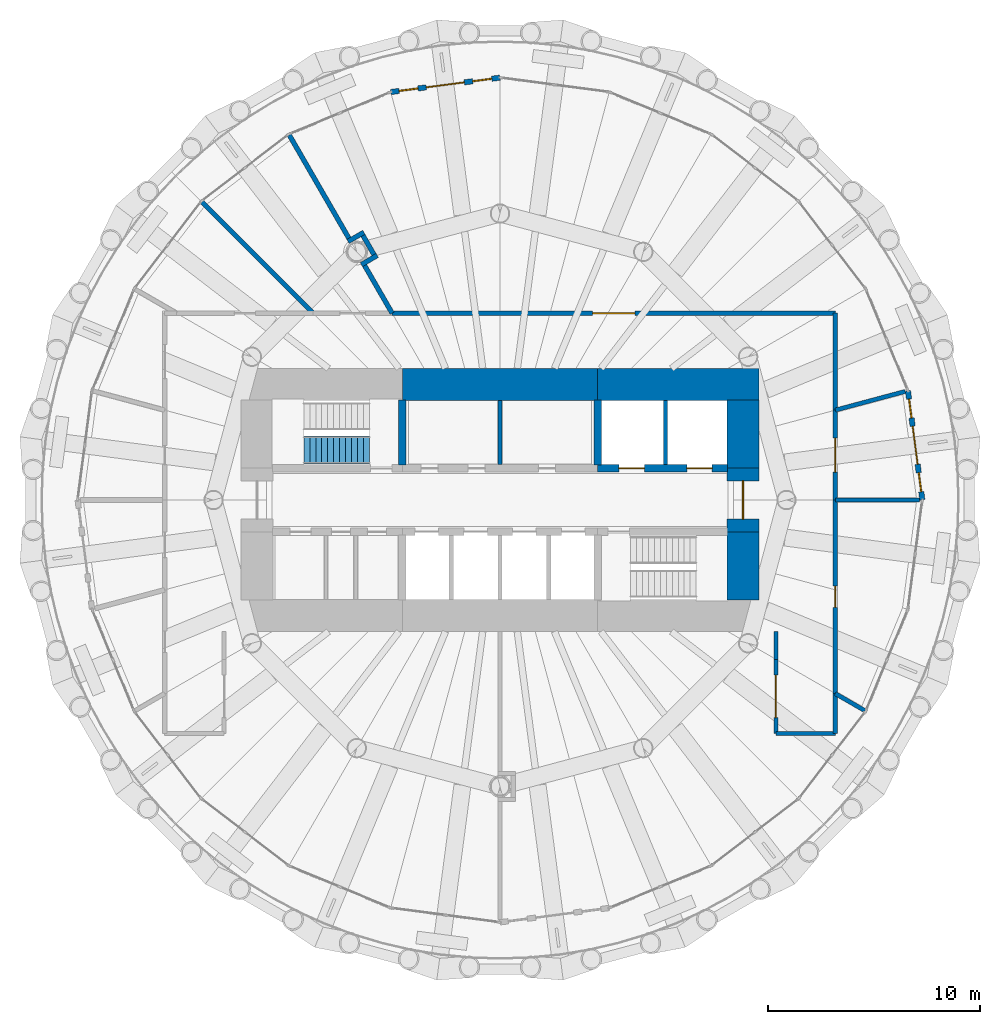
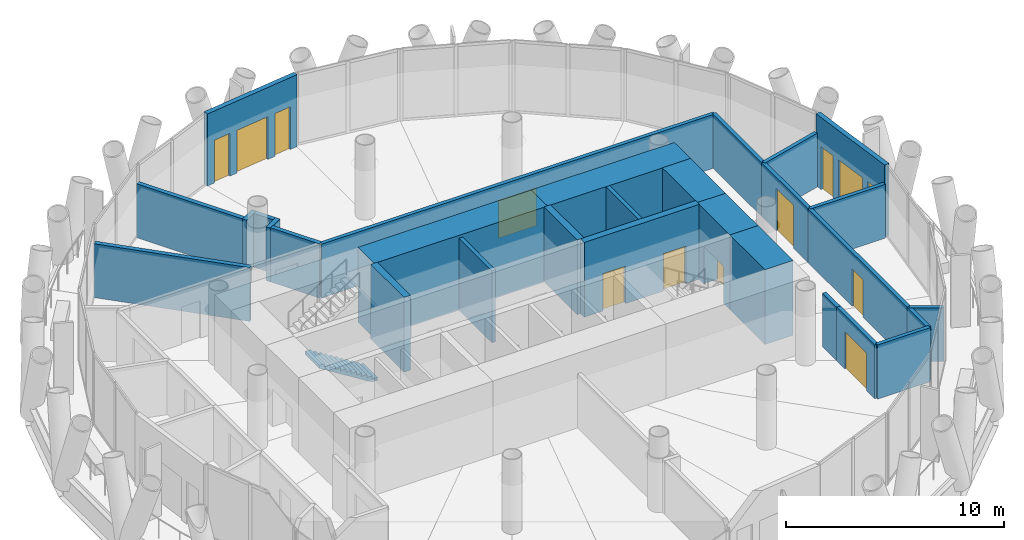
# One storey, part 11 of 16: 29 walls, 9 doors, 4 windows, 1 stair flight, 13 openings, 1 element without a shape of its own.
"""IFC4 building model written with IfcOpenShell, lengths in metres."""

from ifc_helpers import new_model, si_unit, direction, frame, frame_2d, origin, place, context, subcontext, project, spatial, polyline, rectangle, outline, extrude, material, layer, layer_set, type_object, element, fill, aggregate, save


model = new_model("IFC4")

# Units and contexts
model_context = context("Model", 3, precision=1e-05, world=origin(), true_north=direction((0.0, 1.0)))
body_context = subcontext(model_context, "Body", "Model", "MODEL_VIEW")
ifc_project = project(units=[si_unit("LENGTHUNIT", "METRE"), si_unit("AREAUNIT", "SQUARE_METRE"), si_unit("VOLUMEUNIT", "CUBIC_METRE"), si_unit("PLANEANGLEUNIT", "RADIAN"), si_unit("MASSUNIT", "GRAM", prefix="KILO")], contexts=[model_context])

# Site, building, storey
site_placement = place(None, origin())
site = spatial("IfcSite", under=ifc_project, at=site_placement, CompositionType="ELEMENT")
building_placement = place(site_placement, origin())
building = spatial("IfcBuilding", under=site, at=building_placement, Name="Qaws Media Tower", CompositionType="ELEMENT")
storey_placement = place(building_placement, frame((0.0, 0.0, 252.800048828125)))
storey = spatial("IfcBuildingStorey", under=building, at=storey_placement, Name="L58", CompositionType="ELEMENT", Elevation=252.800048828125)

# Walls
ifc_material_1 = material(Name="Twin metal stud frames, two layers gypsum board each side, insulated, Rw 55", Category="gypsum")
ifc_layer_1 = layer(ifc_material_1, 0.22509765625)
ifc_layer_set_1 = layer_set([ifc_layer_1], Name="Acoustic twin-stud partition 225 Rw 55")
wall_type_1 = type_object("IfcWallType", Name="Acoustic twin-stud partition 225 Rw 55", PredefinedType="PARTITIONING", material=ifc_layer_set_1)
wall_1_placement = place(storey_placement, frame((53.46728515625, 61.08984375, 0.0), z_axis=(0.0, 0.0, 1.0), x_axis=(0.86599279096, 0.500056482814, 0.0)))
element("IfcWall", 1, at=wall_1_placement, inside=storey, type_object=wall_type_1, Name="W094 IW6 partition return L58", PredefinedType="PARTITIONING", context=body_context, shape_type="SweptSolid", body=[
    extrude(rectangle(XDim=0.86474609375, YDim=0.22509765625, at=frame_2d((0.432373046875, 0.0))), origin(), (0.0, 0.0, 1.0), 3.02001953125),
])
wall_2_placement = place(storey_placement, frame((52.837890625, 62.180419921875, 0.0), z_axis=(0.0, 0.0, 1.0), x_axis=(0.866044474677, 0.49996696679, 0.0)))
element("IfcWall", 2, at=wall_2_placement, inside=storey, type_object=wall_type_1, Name="W092 IW6 partition return L58", PredefinedType="PARTITIONING", context=body_context, shape_type="SweptSolid", body=[
    extrude(rectangle(XDim=0.8642578125, YDim=0.22509765625, at=frame_2d((0.43212890625, 0.0))), origin(), (0.0, 0.0, 1.0), 3.02001953125),
])
wall_3_placement = place(storey_placement, frame((54.062255859375, 61.5634765625, 0.0), z_axis=(0.0, 0.0, 1.0), x_axis=(-0.499974592989, 0.866040072032, 0.0)))
element("IfcWall", 3, at=wall_3_placement, inside=storey, type_object=wall_type_1, Name="W095 IW6 partition return L58", PredefinedType="PARTITIONING", context=body_context, shape_type="SweptSolid", body=[
    extrude(rectangle(XDim=1.03369140625, YDim=0.22509765625, at=frame_2d((0.516845703125, 0.0))), origin(), (0.0, 0.0, 1.0), 3.02001953125),
])
wall_4_placement = place(storey_placement, frame((54.919921875, 58.798828125, 0.0), z_axis=(0.0, 0.0, 1.0), x_axis=(-0.499939380126, 0.866060399857, 0.0)))
element("IfcWall", 4, at=wall_4_placement, inside=storey, type_object=wall_type_1, Name="W096 IW6 partition L58", PredefinedType="PARTITIONING", context=body_context, shape_type="SweptSolid", body=[
    extrude(rectangle(XDim=2.597900390625, YDim=0.22509765625, at=frame_2d((1.298828125, 0.0))), origin(), (0.0, 0.0, 1.0), 3.0400390625),
])
wall_5_placement = place(storey_placement, frame((52.87890625, 62.333984375, 0.0), z_axis=(0.0, 0.0, 1.0), x_axis=(-0.499985783765, 0.866033611376, 0.0)))
element("IfcWall", 5, at=wall_5_placement, inside=storey, type_object=wall_type_1, Name="W093 IW6 partition L58", PredefinedType="PARTITIONING", context=body_context, shape_type="SweptSolid", body=[
    extrude(rectangle(XDim=5.617919921875, YDim=0.22509765625, at=frame_2d((2.80908203125, 0.0))), origin(), (0.0, 0.0, 1.0), 3.02001953125),
])
wall_6_placement = place(storey_placement, frame((51.20361328125, 58.79638671875, 0.0), z_axis=(0.0, 0.0, 1.0), x_axis=(-0.707106781187, 0.707106781187, 0.0)))
element("IfcWall", 6, at=wall_6_placement, inside=storey, type_object=wall_type_1, Name="W091 IW6 partition L58", PredefinedType="PARTITIONING", context=body_context, shape_type="SweptSolid", body=[
    extrude(rectangle(XDim=7.420166015625, YDim=0.22509765625, at=frame_2d((3.7099609375, 0.0))), origin(), (0.0, 0.0, 1.0), 3.02001953125),
])

# Wall, openings, door, windows
ifc_material_2 = material(Name="Precast concrete, exposed finish", Category="concrete")
ifc_layer_2 = layer(ifc_material_2, 0.25)
ifc_layer_set_2 = layer_set([ifc_layer_2], Name="Balcony door wall 250")
wall_type_2 = type_object("IfcWallType", Name="Balcony door wall 250", PredefinedType="SOLIDWALL", material=ifc_layer_set_2)
wall_7_placement = place(storey_placement, frame((79.89990234375, 50.0, 0.0), z_axis=(0.0, 0.0, 1.0), x_axis=(-0.130510435174, 0.991446935701, 0.0)))
wall_7 = element("IfcWall", 7, at=wall_7_placement, inside=storey, type_object=wall_type_2, Name="W271 EW1 balcony door wall L58-01", PredefinedType="SOLIDWALL", context=body_context, shape_type="SweptSolid", body=[
    extrude(rectangle(XDim=5.19482421875, YDim=0.25, at=frame_2d((2.597412109375, 0.0))), origin(), (0.0, 0.0, 1.0), 4.0400390625),
])
opening_1_placement = place(wall_7_placement, frame((1.697509765625, 0.0, 0.0)))
opening_1 = element("IfcOpeningElement", 8, at=opening_1_placement, cuts=wall_7, Name="Opening D7", PredefinedType="OPENING", context=body_context, shape_type="SweptSolid", body=[
    extrude(rectangle(XDim=1.800048828125, YDim=2.39990234375, at=frame_2d((0.89990234375, 1.199951171875))), frame((0.0, 0.135009765625, 0.0), z_axis=(0.0, -1.0, 0.0), x_axis=(1.0, 0.0, 0.0)), (0.0, 0.0, 1.0), 0.27001953125),
])
opening_2_placement = place(wall_7_placement, frame((0.3974609375, 0.0, 0.0)))
opening_2 = element("IfcOpeningElement", 9, at=opening_2_placement, cuts=wall_7, Name="Opening W7", PredefinedType="OPENING", context=body_context, shape_type="SweptSolid", body=[
    extrude(rectangle(XDim=0.89990234375, YDim=2.39990234375, at=frame_2d((0.449951171875, 1.199951171875))), frame((0.0, 0.135009765625, 0.0), z_axis=(0.0, -1.0, 0.0), x_axis=(1.0, 0.0, 0.0)), (0.0, 0.0, 1.0), 0.27001953125),
])
opening_3_placement = place(wall_7_placement, frame((3.8974609375, 0.0, 0.0)))
opening_3 = element("IfcOpeningElement", 10, at=opening_3_placement, cuts=wall_7, Name="Opening W7", PredefinedType="OPENING", context=body_context, shape_type="SweptSolid", body=[
    extrude(rectangle(XDim=0.89990234375, YDim=2.39990234375, at=frame_2d((0.449951171875, 1.199951171875))), frame((0.0, 0.135009765625, 0.0), z_axis=(0.0, -1.0, 0.0), x_axis=(1.0, 0.0, 0.0)), (0.0, 0.0, 1.0), 0.27001953125),
])
ifc_material_3 = material(Name="Aluminium and clear glass", Category="aluminium")
door_type_1 = type_object("IfcDoorType", Name="Balcony door pair 1800", OperationType="DOUBLE_DOOR_SLIDING", PredefinedType="DOOR", material=ifc_material_3)
door_1_placement = place(opening_1_placement, origin())
door_1 = element("IfcDoor", 11, at=door_1_placement, inside=storey, type_object=door_type_1, Name="D7 balcony door L58-01 in wall W271", OperationType="DOUBLE_DOOR_SLIDING", OverallHeight=2.39990234375, OverallWidth=1.800048828125, PredefinedType="DOOR", context=body_context, shape_type="SweptSolid", body=[
    extrude(rectangle(XDim=1.800048828125, YDim=2.39990234375, at=frame_2d((0.89990234375, 1.199951171875))), frame((0.0, 0.02490234375, 0.0), z_axis=(0.0, -1.0, 0.0), x_axis=(1.0, 0.0, 0.0)), (0.0, 0.0, 1.0), 0.050048828125),
])
fill(opening_1, door_1)
ifc_material_4 = material(Name="Aluminium and clear glass", Category="aluminium")
window_type = type_object("IfcWindowType", Name="Balcony side window 900", PartitioningType="SINGLE_PANEL", PredefinedType="WINDOW", material=ifc_material_4)
window_1_placement = place(opening_2_placement, origin())
window_1 = element("IfcWindow", 12, at=window_1_placement, inside=storey, type_object=window_type, Name="W1 balcony side light L58-01L", OverallHeight=2.39990234375, OverallWidth=0.89990234375, PartitioningType="SINGLE_PANEL", PredefinedType="WINDOW", context=body_context, shape_type="SweptSolid", body=[
    extrude(rectangle(XDim=0.89990234375, YDim=2.39990234375, at=frame_2d((0.449951171875, 1.199951171875))), frame((0.0, 0.030029296875, 0.0), z_axis=(0.0, -1.0, 0.0), x_axis=(1.0, 0.0, 0.0)), (0.0, 0.0, 1.0), 0.06005859375),
])
fill(opening_2, window_1)
window_2_placement = place(opening_3_placement, origin())
window_2 = element("IfcWindow", 13, at=window_2_placement, inside=storey, type_object=window_type, Name="W1 balcony side light L58-01R", OverallHeight=2.39990234375, OverallWidth=0.89990234375, PartitioningType="SINGLE_PANEL", PredefinedType="WINDOW", context=body_context, shape_type="SweptSolid", body=[
    extrude(rectangle(XDim=0.89990234375, YDim=2.39990234375, at=frame_2d((0.449951171875, 1.199951171875))), frame((0.0, 0.030029296875, 0.0), z_axis=(0.0, -1.0, 0.0), x_axis=(1.0, 0.0, 0.0)), (0.0, 0.0, 1.0), 0.06005859375),
])
fill(opening_3, window_2)

wall_8_placement = place(storey_placement, frame((60.0, 69.89990234375, 0.0), z_axis=(0.0, 0.0, 1.0), x_axis=(-0.991446935701, -0.130510435174, 0.0)))
wall_8 = element("IfcWall", 14, at=wall_8_placement, inside=storey, type_object=wall_type_2, Name="W270 EW1 balcony door wall L58-07", PredefinedType="SOLIDWALL", context=body_context, shape_type="SweptSolid", body=[
    extrude(rectangle(XDim=5.19482421875, YDim=0.25, at=frame_2d((2.597412109375, 0.0))), origin(), (0.0, 0.0, 1.0), 4.0400390625),
])
opening_4_placement = place(wall_8_placement, frame((1.697509765625, 0.0, 0.0)))
opening_4 = element("IfcOpeningElement", 15, at=opening_4_placement, cuts=wall_8, Name="Opening D7", PredefinedType="OPENING", context=body_context, shape_type="SweptSolid", body=[
    extrude(rectangle(XDim=1.800048828125, YDim=2.39990234375, at=frame_2d((0.89990234375, 1.199951171875))), frame((0.0, 0.135009765625, 0.0), z_axis=(0.0, -1.0, 0.0), x_axis=(1.0, 0.0, 0.0)), (0.0, 0.0, 1.0), 0.27001953125),
])
opening_5_placement = place(wall_8_placement, frame((0.3974609375, 0.0, 0.0)))
opening_5 = element("IfcOpeningElement", 16, at=opening_5_placement, cuts=wall_8, Name="Opening W7", PredefinedType="OPENING", context=body_context, shape_type="SweptSolid", body=[
    extrude(rectangle(XDim=0.89990234375, YDim=2.39990234375, at=frame_2d((0.449951171875, 1.199951171875))), frame((0.0, 0.135009765625, 0.0), z_axis=(0.0, -1.0, 0.0), x_axis=(1.0, 0.0, 0.0)), (0.0, 0.0, 1.0), 0.27001953125),
])
opening_6_placement = place(wall_8_placement, frame((3.8974609375, 0.0, 0.0)))
opening_6 = element("IfcOpeningElement", 17, at=opening_6_placement, cuts=wall_8, Name="Opening W7", PredefinedType="OPENING", context=body_context, shape_type="SweptSolid", body=[
    extrude(rectangle(XDim=0.89990234375, YDim=2.39990234375, at=frame_2d((0.449951171875, 1.199951171875))), frame((0.0, 0.135009765625, 0.0), z_axis=(0.0, -1.0, 0.0), x_axis=(1.0, 0.0, 0.0)), (0.0, 0.0, 1.0), 0.27001953125),
])
door_2_placement = place(opening_4_placement, origin())
door_2 = element("IfcDoor", 18, at=door_2_placement, inside=storey, type_object=door_type_1, Name="D7 balcony door L58-07 in wall W270", OperationType="DOUBLE_DOOR_SLIDING", OverallHeight=2.39990234375, OverallWidth=1.800048828125, PredefinedType="DOOR", context=body_context, shape_type="SweptSolid", body=[
    extrude(rectangle(XDim=1.800048828125, YDim=2.39990234375, at=frame_2d((0.89990234375, 1.199951171875))), frame((0.0, 0.02490234375, 0.0), z_axis=(0.0, -1.0, 0.0), x_axis=(1.0, 0.0, 0.0)), (0.0, 0.0, 1.0), 0.050048828125),
])
fill(opening_4, door_2)
window_3_placement = place(opening_5_placement, origin())
window_3 = element("IfcWindow", 19, at=window_3_placement, inside=storey, type_object=window_type, Name="W1 balcony side light L58-07L", OverallHeight=2.39990234375, OverallWidth=0.89990234375, PartitioningType="SINGLE_PANEL", PredefinedType="WINDOW", context=body_context, shape_type="SweptSolid", body=[
    extrude(rectangle(XDim=0.89990234375, YDim=2.39990234375, at=frame_2d((0.449951171875, 1.199951171875))), frame((0.0, 0.030029296875, 0.0), z_axis=(0.0, -1.0, 0.0), x_axis=(1.0, 0.0, 0.0)), (0.0, 0.0, 1.0), 0.06005859375),
])
fill(opening_5, window_3)
window_4_placement = place(opening_6_placement, origin())
window_4 = element("IfcWindow", 20, at=window_4_placement, inside=storey, type_object=window_type, Name="W1 balcony side light L58-07R", OverallHeight=2.39990234375, OverallWidth=0.89990234375, PartitioningType="SINGLE_PANEL", PredefinedType="WINDOW", context=body_context, shape_type="SweptSolid", body=[
    extrude(rectangle(XDim=0.89990234375, YDim=2.39990234375, at=frame_2d((0.449951171875, 1.199951171875))), frame((0.0, 0.030029296875, 0.0), z_axis=(0.0, -1.0, 0.0), x_axis=(1.0, 0.0, 0.0)), (0.0, 0.0, 1.0), 0.06005859375),
])
fill(opening_6, window_4)

# Wall, openings, doors
ifc_material_5 = material(Name="Concrete C60/75", Category="concrete")
ifc_layer_3 = layer(ifc_material_5, 0.35009765625)
ifc_layer_set_3 = layer_set([ifc_layer_3], Name="Core inner wall 350")
wall_type_3 = type_object("IfcWallType", Name="Core inner wall 350", PredefinedType="SHEAR", material=ifc_layer_set_3)
wall_9_placement = place(storey_placement, frame((64.60009765625, 51.5, 0.0), z_axis=(0.0, 0.0, 1.0), x_axis=(1.0, 0.0, 0.0)))
wall_9 = element("IfcWall", 21, at=wall_9_placement, inside=storey, type_object=wall_type_3, Name="W308 SW5 core wall SPNE L58", PredefinedType="SHEAR", context=body_context, shape_type="SweptSolid", body=[
    extrude(rectangle(XDim=6.119873046875, YDim=0.35009765625, at=frame_2d((3.06005859375, 0.0))), origin(), (0.0, 0.0, 1.0), 4.199951171875),
])
opening_7_placement = place(wall_9_placement, frame((1.0, 0.0, 0.0)))
opening_7 = element("IfcOpeningElement", 22, at=opening_7_placement, cuts=wall_9, Name="Opening LD2", PredefinedType="OPENING", context=body_context, shape_type="SweptSolid", body=[
    extrude(rectangle(XDim=1.199951171875, YDim=2.10009765625, at=frame_2d((0.60009765625, 1.050048828125))), frame((0.0, 0.18505859375, 0.0), z_axis=(0.0, -1.0, 0.0), x_axis=(1.0, 0.0, 0.0)), (0.0, 0.0, 1.0), 0.3701171875),
])
opening_8_placement = place(wall_9_placement, frame((4.199951171875, 0.0, 0.0)))
opening_8 = element("IfcOpeningElement", 23, at=opening_8_placement, cuts=wall_9, Name="Opening LD2", PredefinedType="OPENING", context=body_context, shape_type="SweptSolid", body=[
    extrude(rectangle(XDim=1.199951171875, YDim=2.10009765625, at=frame_2d((0.60009765625, 1.050048828125))), frame((0.0, 0.18505859375, 0.0), z_axis=(0.0, -1.0, 0.0), x_axis=(1.0, 0.0, 0.0)), (0.0, 0.0, 1.0), 0.3701171875),
])
ifc_material_6 = material(Name="Steel, fire rated", Category="steel")
door_type_2 = type_object("IfcDoorType", Name="Lift landing door 1200", OperationType="SLIDING_TO_LEFT", PredefinedType="DOOR", material=ifc_material_6)
door_3_placement = place(opening_7_placement, origin())
door_3 = element("IfcDoor", 24, at=door_3_placement, inside=storey, type_object=door_type_2, Name="FL1 landing door L58 in wall W308", OperationType="SLIDING_TO_LEFT", OverallHeight=2.10009765625, OverallWidth=1.199951171875, PredefinedType="DOOR", context=body_context, shape_type="SweptSolid", body=[
    extrude(rectangle(XDim=1.199951171875, YDim=2.10009765625, at=frame_2d((0.60009765625, 1.050048828125))), frame((0.0, 0.02490234375, 0.0), z_axis=(0.0, -1.0, 0.0), x_axis=(1.0, 0.0, 0.0)), (0.0, 0.0, 1.0), 0.050048828125),
])
fill(opening_7, door_3)
door_4_placement = place(opening_8_placement, origin())
door_4 = element("IfcDoor", 25, at=door_4_placement, inside=storey, type_object=door_type_2, Name="FL2 landing door L58 in wall W308", OperationType="SLIDING_TO_LEFT", OverallHeight=2.10009765625, OverallWidth=1.199951171875, PredefinedType="DOOR", context=body_context, shape_type="SweptSolid", body=[
    extrude(rectangle(XDim=1.199951171875, YDim=2.10009765625, at=frame_2d((0.60009765625, 1.050048828125))), frame((0.0, 0.02490234375, 0.0), z_axis=(0.0, -1.0, 0.0), x_axis=(1.0, 0.0, 0.0)), (0.0, 0.0, 1.0), 0.050048828125),
])
fill(opening_8, door_4)

# Walls
for number, where, z_axis, x_axis, name in (
    (26, (55.39990234375, 51.655029296875, 0.0), (0.0, 0.0, 1.0), (0.0, 1.0, 0.0), "W305 SW5 core wall XNW L58"),
    (27, (64.60009765625, 51.655029296875, 0.0), (0.0, 0.0, 1.0), (0.0, 1.0, 0.0), "W309 SW5 core wall XNE L58"),
):
    element("IfcWall", number, at=place(storey_placement, frame(where, z_axis=z_axis, x_axis=x_axis)), inside=storey, type_object=wall_type_3, Name=name, PredefinedType="SHEAR", context=body_context, shape_type="SweptSolid", body=[
        extrude(rectangle(XDim=3.06494140625, YDim=0.35009765625, at=frame_2d((1.532470703125, 0.0))), origin(), (0.0, 0.0, 1.0), 4.199951171875),
    ])
ifc_material_7 = material(Name="Concrete C60/75", Category="concrete")
ifc_layer_4 = layer(ifc_material_7, 1.5)
ifc_layer_set_4 = layer_set([ifc_layer_4], Name="Core wall 1500")
wall_type_4 = type_object("IfcWallType", Name="Core wall 1500", PredefinedType="SHEAR", material=ifc_layer_set_4)
wall_10_placement = place(storey_placement, frame((55.39990234375, 55.449951171875, 0.0), z_axis=(0.0, 0.0, 1.0), x_axis=(1.0, 0.0, 0.0)))
element("IfcWall", 28, at=wall_10_placement, inside=storey, type_object=wall_type_4, Name="W373 SW13 core wall N L58", PredefinedType="SHEAR", context=body_context, shape_type="SweptSolid", body=[
    extrude(rectangle(XDim=9.2001953125, YDim=1.5, at=frame_2d((4.60009765625, 0.0))), origin(), (0.0, 0.0, 1.0), 4.199951171875),
])
wall_11_placement = place(storey_placement, frame((64.60009765625, 55.449951171875, 0.0), z_axis=(0.0, 0.0, 1.0), x_axis=(1.0, 0.0, 0.0)))
element("IfcWall", 29, at=wall_11_placement, inside=storey, type_object=wall_type_4, Name="W382 SW13 core wall NE L58", PredefinedType="SHEAR", context=body_context, shape_type="SweptSolid", body=[
    extrude(rectangle(XDim=7.599853515625, YDim=1.5, at=frame_2d((3.7998046875, 0.0))), origin(), (0.0, 0.0, 1.0), 4.199951171875),
])
wall_12_placement = place(storey_placement, frame((71.449951171875, 45.280029296875, 0.0), z_axis=(0.0, 0.0, 1.0), x_axis=(0.0, 1.0, 0.0)))
element("IfcWall", 30, at=wall_12_placement, inside=storey, type_object=wall_type_4, Name="W383 SW13 core wall ES L58", PredefinedType="SHEAR", context=body_context, shape_type="SweptSolid", body=[
    extrude(rectangle(XDim=3.219970703125, YDim=1.5, at=frame_2d((1.60986328125, 0.0))), origin(), (0.0, 0.0, 1.0), 4.199951171875),
])

# Wall, opening, door
wall_13_placement = place(storey_placement, frame((71.449951171875, 48.5, 0.0), z_axis=(0.0, 0.0, 1.0), x_axis=(0.0, 1.0, 0.0)))
wall_13 = element("IfcWall", 31, at=wall_13_placement, inside=storey, type_object=wall_type_4, Name="W384 SW13 core wall E L58", PredefinedType="SHEAR", context=body_context, shape_type="SweptSolid", body=[
    extrude(rectangle(XDim=3.0, YDim=1.5, at=frame_2d((1.5, 0.0))), origin(), (0.0, 0.0, 1.0), 4.199951171875),
])
opening_9_placement = place(wall_13_placement, frame((0.60009765625, 0.0, 0.0)))
opening_9 = element("IfcOpeningElement", 32, at=opening_9_placement, cuts=wall_13, Name="Opening D2", PredefinedType="OPENING", context=body_context, shape_type="SweptSolid", body=[
    extrude(rectangle(XDim=1.800048828125, YDim=2.10009765625, at=frame_2d((0.89990234375, 1.050048828125))), frame((0.0, 0.760009765625, 0.0), z_axis=(0.0, -1.0, 0.0), x_axis=(1.0, 0.0, 0.0)), (0.0, 0.0, 1.0), 1.52001953125),
])
ifc_material_8 = material(Name="Steel and glass, fire rated", Category="steel")
door_type_3 = type_object("IfcDoorType", Name="Lobby door pair 1800 FD60", OperationType="DOUBLE_DOOR_DOUBLE_SWING", PredefinedType="DOOR", material=ifc_material_8)
door_5_placement = place(opening_9_placement, origin())
door_5 = element("IfcDoor", 33, at=door_5_placement, inside=storey, type_object=door_type_3, Name="D2 core lobby door E L58 in wall W384", OperationType="DOUBLE_DOOR_DOUBLE_SWING", OverallHeight=2.10009765625, OverallWidth=1.800048828125, PredefinedType="DOOR", context=body_context, shape_type="SweptSolid", body=[
    extrude(rectangle(XDim=1.800048828125, YDim=2.10009765625, at=frame_2d((0.89990234375, 1.050048828125))), frame((0.0, 0.02490234375, 0.0), z_axis=(0.0, -1.0, 0.0), x_axis=(1.0, 0.0, 0.0)), (0.0, 0.0, 1.0), 0.050048828125),
])
fill(opening_9, door_5)

# Wall
wall_14_placement = place(storey_placement, frame((71.449951171875, 51.5, 0.0), z_axis=(0.0, 0.0, 1.0), x_axis=(0.0, 1.0, 0.0)))
element("IfcWall", 34, at=wall_14_placement, inside=storey, type_object=wall_type_4, Name="W385 SW13 core wall EN L58", PredefinedType="SHEAR", context=body_context, shape_type="SweptSolid", body=[
    extrude(rectangle(XDim=3.219970703125, YDim=1.5, at=frame_2d((1.60986328125, 0.0))), origin(), (0.0, 0.0, 1.0), 4.199951171875),
])

# Wall, opening, door
ifc_material_9 = material(Name="Gypsum board on galvanised metal studs, acoustic double stud, deflection head", Category="gypsum")
ifc_layer_5 = layer(ifc_material_9, 0.199951171875)
ifc_layer_set_5 = layer_set([ifc_layer_5], Name="Room partition 200")
wall_type_5 = type_object("IfcWallType", Name="Room partition 200", PredefinedType="PARTITIONING", material=ifc_layer_set_5)
wall_15_placement = place(storey_placement, frame((54.919189453125, 58.800048828125, 0.0), z_axis=(0.0, 0.0, 1.0), x_axis=(1.0, 0.0, 0.0)))
wall_15 = element("IfcWall", 35, at=wall_15_placement, inside=storey, type_object=wall_type_5, Name="W1693 IW3 partition L58", PredefinedType="PARTITIONING", context=body_context, shape_type="SweptSolid", body=[
    extrude(rectangle(XDim=20.880859375, YDim=0.199951171875, at=frame_2d((10.4404296875, 0.0))), origin(), (0.0, 0.0, 1.0), 3.02001953125),
])
opening_10_placement = place(wall_15_placement, frame((9.440185546875, 0.0, 0.0)))
opening_10 = element("IfcOpeningElement", 36, at=opening_10_placement, cuts=wall_15, Name="Opening D6", PredefinedType="OPENING", context=body_context, shape_type="SweptSolid", body=[
    extrude(rectangle(XDim=2.0, YDim=2.10009765625, at=frame_2d((1.0, 1.050048828125))), frame((0.0, 0.10986328125, 0.0), z_axis=(0.0, -1.0, 0.0), x_axis=(1.0, 0.0, 0.0)), (0.0, 0.0, 1.0), 0.219970703125),
])
ifc_material_10 = material(Name="Steel, acoustic, fire rated", Category="steel")
door_type_4 = type_object("IfcDoorType", Name="Room door pair 2000", OperationType="DOUBLE_DOOR_DOUBLE_SWING", PredefinedType="DOOR", material=ifc_material_10)
door_6_placement = place(opening_10_placement, origin())
door_6 = element("IfcDoor", 37, at=door_6_placement, inside=storey, type_object=door_type_4, Name="D6 Bureau newsroom door L58 in wall W1693", OperationType="DOUBLE_DOOR_DOUBLE_SWING", OverallHeight=2.10009765625, OverallWidth=2.0, PredefinedType="DOOR", context=body_context, shape_type="SweptSolid", body=[
    extrude(rectangle(XDim=2.0, YDim=2.10009765625, at=frame_2d((1.0, 1.050048828125))), frame((0.0, 0.02490234375, 0.0), z_axis=(0.0, -1.0, 0.0), x_axis=(1.0, 0.0, 0.0)), (0.0, 0.0, 1.0), 0.050048828125),
])
fill(opening_10, door_6)

# Wall
wall_16_placement = place(storey_placement, frame((75.800048828125, 58.800048828125, 0.0), z_axis=(0.0, 0.0, 1.0), x_axis=(0.0, -1.0, 0.0)))
element("IfcWall", 38, at=wall_16_placement, inside=storey, type_object=wall_type_5, Name="W1625 IW3 partition L58", PredefinedType="PARTITIONING", context=body_context, shape_type="SweptSolid", body=[
    extrude(rectangle(XDim=4.56640625, YDim=0.199951171875, at=frame_2d((2.283203125, 0.0))), origin(), (0.0, 0.0, 1.0), 3.02001953125),
])

# Wall, opening, door
wall_17_placement = place(storey_placement, frame((75.800048828125, 54.233642578125, 0.0), z_axis=(0.0, 0.0, 1.0), x_axis=(0.0, -1.0, 0.0)))
wall_17 = element("IfcWall", 39, at=wall_17_placement, inside=storey, type_object=wall_type_5, Name="W1624 IW3 partition L58", PredefinedType="PARTITIONING", context=body_context, shape_type="SweptSolid", body=[
    extrude(rectangle(XDim=4.233642578125, YDim=0.199951171875, at=frame_2d((2.11669921875, 0.0))), origin(), (0.0, 0.0, 1.0), 3.02001953125),
])
opening_11_placement = place(wall_17_placement, frame((1.31689453125, 0.0, 0.0)))
opening_11 = element("IfcOpeningElement", 40, at=opening_11_placement, cuts=wall_17, Name="Opening D16", PredefinedType="OPENING", context=body_context, shape_type="SweptSolid", body=[
    extrude(rectangle(XDim=1.60009765625, YDim=2.39990234375, at=frame_2d((0.800048828125, 1.199951171875))), frame((0.0, 0.10986328125, 0.0), z_axis=(0.0, -1.0, 0.0), x_axis=(1.0, 0.0, 0.0)), (0.0, 0.0, 1.0), 0.219970703125),
])
ifc_material_11 = material(Name="Glazed aluminium, fire rated", Category="aluminium")
door_type_5 = type_object("IfcDoorType", Name="Tenant entrance door pair 1600x2400", OperationType="DOUBLE_DOOR_DOUBLE_SWING", PredefinedType="DOOR", material=ifc_material_11)
door_7_placement = place(opening_11_placement, origin())
door_7 = element("IfcDoor", 41, at=door_7_placement, inside=storey, type_object=door_type_5, Name="D16 Bureau reception door L58 in wall W1624", OperationType="DOUBLE_DOOR_DOUBLE_SWING", OverallHeight=2.39990234375, OverallWidth=1.60009765625, PredefinedType="DOOR", context=body_context, shape_type="SweptSolid", body=[
    extrude(rectangle(XDim=1.60009765625, YDim=2.39990234375, at=frame_2d((0.800048828125, 1.199951171875))), frame((0.0, 0.02490234375, 0.0), z_axis=(0.0, -1.0, 0.0), x_axis=(1.0, 0.0, 0.0)), (0.0, 0.0, 1.0), 0.050048828125),
])
fill(opening_11, door_7)

wall_18_placement = place(storey_placement, frame((75.800048828125, 50.0, 0.0), z_axis=(0.0, 0.0, 1.0), x_axis=(0.0, -1.0, 0.0)))
wall_18 = element("IfcWall", 42, at=wall_18_placement, inside=storey, type_object=wall_type_5, Name="W1697 IW3 partition L58", PredefinedType="PARTITIONING", context=body_context, shape_type="SweptSolid", body=[
    extrude(rectangle(XDim=9.1220703125, YDim=0.199951171875, at=frame_2d((4.56103515625, 0.0))), origin(), (0.0, 0.0, 1.0), 3.02001953125),
])
opening_12_placement = place(wall_18_placement, frame((4.06103515625, 0.0, 0.0)))
opening_12 = element("IfcOpeningElement", 43, at=opening_12_placement, cuts=wall_18, Name="Opening D5", PredefinedType="OPENING", context=body_context, shape_type="SweptSolid", body=[
    extrude(rectangle(XDim=1.0, YDim=2.10009765625, at=frame_2d((0.5, 1.050048828125))), frame((0.0, 0.10986328125, 0.0), z_axis=(0.0, -1.0, 0.0), x_axis=(1.0, 0.0, 0.0)), (0.0, 0.0, 1.0), 0.219970703125),
])
ifc_material_12 = material(Name="Timber veneered, acoustic seal", Category="wood")
door_type_6 = type_object("IfcDoorType", Name="Room door 1000", OperationType="SINGLE_SWING_LEFT", PredefinedType="DOOR", material=ifc_material_12)
door_8_placement = place(opening_12_placement, origin())
door_8 = element("IfcDoor", 44, at=door_8_placement, inside=storey, type_object=door_type_6, Name="D5 Bureau newsroom door L58 in wall W1697", OperationType="SINGLE_SWING_LEFT", OverallHeight=2.10009765625, OverallWidth=1.0, PredefinedType="DOOR", context=body_context, shape_type="SweptSolid", body=[
    extrude(rectangle(XDim=1.0, YDim=2.10009765625, at=frame_2d((0.5, 1.050048828125))), frame((0.0, 0.02490234375, 0.0), z_axis=(0.0, -1.0, 0.0), x_axis=(1.0, 0.0, 0.0)), (0.0, 0.0, 1.0), 0.050048828125),
])
fill(opening_12, door_8)

# Walls
wall_19_placement = place(storey_placement, frame((75.800048828125, 40.8779296875, 0.0), z_axis=(0.0, 0.0, 1.0), x_axis=(0.0, -1.0, 0.0)))
element("IfcWall", 45, at=wall_19_placement, inside=storey, type_object=wall_type_5, Name="W1621 IW3 partition L58", PredefinedType="PARTITIONING", context=body_context, shape_type="SweptSolid", body=[
    extrude(rectangle(XDim=1.8779296875, YDim=0.199951171875, at=frame_2d((0.93896484375, 0.0))), origin(), (0.0, 0.0, 1.0), 3.02001953125),
])
wall_20_placement = place(storey_placement, frame((75.800048828125, 39.0, 0.0), z_axis=(0.0, 0.0, 1.0), x_axis=(-1.0, 0.0, 0.0)))
element("IfcWall", 46, at=wall_20_placement, inside=storey, type_object=wall_type_5, Name="W1231 IW3 partition L58", PredefinedType="PARTITIONING", context=body_context, shape_type="SweptSolid", body=[
    extrude(rectangle(XDim=2.800048828125, YDim=0.199951171875, at=frame_2d((1.39990234375, 0.0))), origin(), (0.0, 0.0, 1.0), 3.0400390625),
])

# Wall, opening, door
wall_21_placement = place(storey_placement, frame((73.0, 39.0, 0.0), z_axis=(0.0, 0.0, 1.0), x_axis=(0.0, 1.0, 0.0)))
wall_21 = element("IfcWall", 47, at=wall_21_placement, inside=storey, type_object=wall_type_5, Name="W1602 IW3 partition L58", PredefinedType="PARTITIONING", context=body_context, shape_type="SweptSolid", body=[
    extrude(rectangle(XDim=3.494384765625, YDim=0.199951171875, at=frame_2d((1.7470703125, 0.0))), origin(), (0.0, 0.0, 1.0), 3.02001953125),
])
opening_13_placement = place(wall_21_placement, frame((0.747314453125, 0.0, 0.0)))
opening_13 = element("IfcOpeningElement", 48, at=opening_13_placement, cuts=wall_21, Name="Opening D6", PredefinedType="OPENING", context=body_context, shape_type="SweptSolid", body=[
    extrude(rectangle(XDim=2.0, YDim=2.10009765625, at=frame_2d((1.0, 1.050048828125))), frame((0.0, 0.10986328125, 0.0), z_axis=(0.0, -1.0, 0.0), x_axis=(1.0, 0.0, 0.0)), (0.0, 0.0, 1.0), 0.219970703125),
])
door_9_placement = place(opening_13_placement, origin())
door_9 = element("IfcDoor", 49, at=door_9_placement, inside=storey, type_object=door_type_4, Name="D6 Bureau newsroom door L58 in wall W1602", OperationType="DOUBLE_DOOR_DOUBLE_SWING", OverallHeight=2.10009765625, OverallWidth=2.0, PredefinedType="DOOR", context=body_context, shape_type="SweptSolid", body=[
    extrude(rectangle(XDim=2.0, YDim=2.10009765625, at=frame_2d((1.0, 1.050048828125))), frame((0.0, 0.02490234375, 0.0), z_axis=(0.0, -1.0, 0.0), x_axis=(1.0, 0.0, 0.0)), (0.0, 0.0, 1.0), 0.050048828125),
])
fill(opening_13, door_9)

# Walls
wall_22_placement = place(storey_placement, frame((73.0, 42.494384765625, 0.0), z_axis=(0.0, 0.0, 1.0), x_axis=(0.0, 1.0, 0.0)))
element("IfcWall", 50, at=wall_22_placement, inside=storey, type_object=wall_type_5, Name="W1603 IW3 partition L58", PredefinedType="PARTITIONING", context=body_context, shape_type="SweptSolid", body=[
    extrude(rectangle(XDim=1.3056640625, YDim=0.199951171875, at=frame_2d((0.65283203125, 0.0))), origin(), (0.0, 0.0, 1.0), 3.02001953125),
])
wall_23_placement = place(storey_placement, frame((75.800048828125, 50.0, 0.0), z_axis=(0.0, 0.0, 1.0), x_axis=(1.0, 0.0, 0.0)))
element("IfcWall", 51, at=wall_23_placement, inside=storey, type_object=wall_type_5, Name="W1698 IW3 partition L58", PredefinedType="PARTITIONING", context=body_context, shape_type="SweptSolid", body=[
    extrude(rectangle(XDim=3.9599609375, YDim=0.199951171875, at=frame_2d((1.97998046875, 0.0))), origin(), (0.0, 0.0, 1.0), 3.02001953125),
])
wall_24_placement = place(storey_placement, frame((75.802490234375, 54.234375, 0.0), z_axis=(0.0, 0.0, 1.0), x_axis=(0.965933949521, 0.258788726886, 0.0)))
element("IfcWall", 52, at=wall_24_placement, inside=storey, type_object=wall_type_5, Name="W1699 IW3 partition L58", PredefinedType="PARTITIONING", context=body_context, shape_type="SweptSolid", body=[
    extrude(rectangle(XDim=3.39990234375, YDim=0.199951171875, at=frame_2d((1.699951171875, 0.0))), origin(), (0.0, 0.0, 1.0), 3.02001953125),
])
wall_25_placement = place(storey_placement, frame((75.79638671875, 40.8798828125, 0.0), z_axis=(0.0, 0.0, 1.0), x_axis=(0.866055074793, -0.499948604784, 0.0)))
element("IfcWall", 53, at=wall_25_placement, inside=storey, type_object=wall_type_5, Name="W1696 IW3 partition L58", PredefinedType="PARTITIONING", context=body_context, shape_type="SweptSolid", body=[
    extrude(rectangle(XDim=1.619873046875, YDim=0.199951171875, at=frame_2d((0.81005859375, 0.0))), origin(), (0.0, 0.0, 1.0), 3.02001953125),
])
wall_26_placement = place(storey_placement, frame((60.0, 51.675048828125, 0.0), z_axis=(0.0, 0.0, 1.0), x_axis=(0.0, 1.0, 0.0)))
element("IfcWall", 54, at=wall_26_placement, inside=storey, type_object=wall_type_5, Name="W1695 IW3 core room partition 1 L58", PredefinedType="PARTITIONING", context=body_context, shape_type="SweptSolid", body=[
    extrude(rectangle(XDim=3.02490234375, YDim=0.199951171875, at=frame_2d((1.512451171875, 0.0))), origin(), (0.0, 0.0, 1.0), 4.0400390625),
])
ifc_material_13 = material(Name="Fire-rated gypsum board shaft wall on galvanised metal studs, deflection head", Category="gypsum")
ifc_layer_6 = layer(ifc_material_13, 0.199951171875)
ifc_layer_set_6 = layer_set([ifc_layer_6], Name="Shaft wall 200")
wall_type_6 = type_object("IfcWallType", Name="Shaft wall 200", PredefinedType="PARTITIONING", material=ifc_layer_set_6)
wall_27_placement = place(storey_placement, frame((67.800048828125, 51.675048828125, 0.0), z_axis=(0.0, 0.0, 1.0), x_axis=(0.0, 1.0, 0.0)))
element("IfcWall", 55, at=wall_27_placement, inside=storey, type_object=wall_type_6, Name="W1874 IW1 shaft wall FL L58", PredefinedType="PARTITIONING", context=body_context, shape_type="SweptSolid", body=[
    extrude(rectangle(XDim=3.02490234375, YDim=0.199951171875, at=frame_2d((1.512451171875, 0.0))), origin(), (0.0, 0.0, 1.0), 4.199951171875),
])

# Stair, stair flight
ifc_material_14 = material(Name="Concrete C40/50", Category="concrete")
stair_type = type_object("IfcStairType", Name="Exit stair", PredefinedType="HALF_TURN_STAIR", material=ifc_material_14)
stair_placement = place(storey_placement, origin())
stair = element("IfcStair", 56, at=stair_placement, inside=storey, type_object=stair_type, Name="S1 exit stair L58", PredefinedType="HALF_TURN_STAIR")
ifc_material_15 = material(Name="Concrete C40/50", Category="concrete")
stair_flight_type = type_object("IfcStairFlightType", Name="Stair flight 1310", PredefinedType="STRAIGHT", material=ifc_material_15)
stair_flight_placement = place(storey_placement, frame((53.840087890625, 52.35498046875, 0.0), z_axis=(0.0, 0.0, 1.0), x_axis=(-1.0, 0.0, 0.0)))
stair_flight = element("IfcStairFlight", 57, at=stair_flight_placement, type_object=stair_flight_type, Name="S1 flight 1", NumberOfRisers=12, NumberOfTreads=11, PredefinedType="STRAIGHT", RiserHeight=0.175, TreadLength=0.28, context=body_context, shape_type="SweptSolid", body=[
    extrude(outline(polyline([(0.0, 0.0), (0.0, 0.175048828125), (0.280029296875, 0.175048828125), (0.280029296875, 0.35009765625), (0.56005859375, 0.35009765625), (0.56005859375, 0.52490234375), (0.840087890625, 0.52490234375), (0.840087890625, 0.699951171875), (1.1201171875, 0.699951171875), (1.1201171875, 0.875), (1.39990234375, 0.875), (1.39990234375, 1.050048828125), (1.679931640625, 1.050048828125), (1.679931640625, 1.22509765625), (1.9599609375, 1.22509765625), (1.9599609375, 1.39990234375), (2.239990234375, 1.39990234375), (2.239990234375, 1.574951171875), (2.52001953125, 1.574951171875), (2.52001953125, 1.75), (2.800048828125, 1.75), (2.800048828125, 1.925048828125), (3.080078125, 1.925048828125), (3.080078125, 2.10009765625), (3.080078125, 1.748291015625), (0.28271484375, 0.0), (0.0, 0.0)])), frame((0.0, 0.655029296875, 0.0), z_axis=(0.0, -1.0, 0.0), x_axis=(1.0, 0.0, 0.0)), (0.0, 0.0, 1.0), 1.31005859375),
])
aggregate(stair, [stair_flight])

save(model, "model.ifc")
